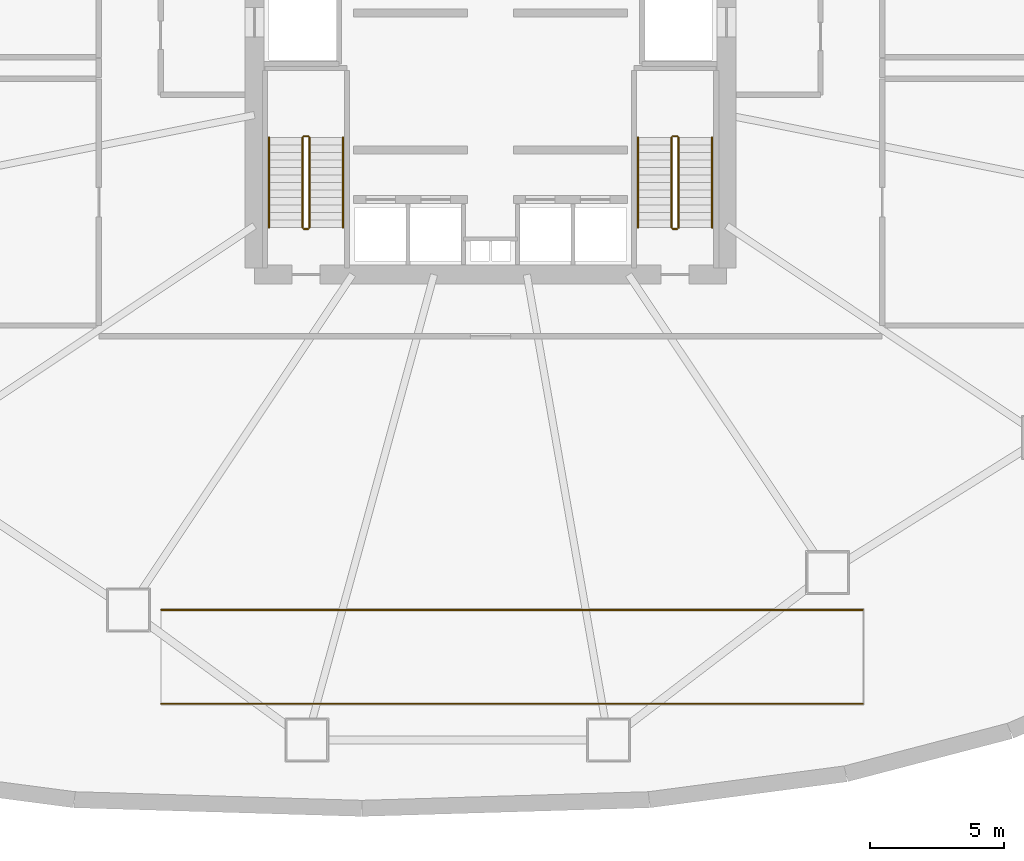
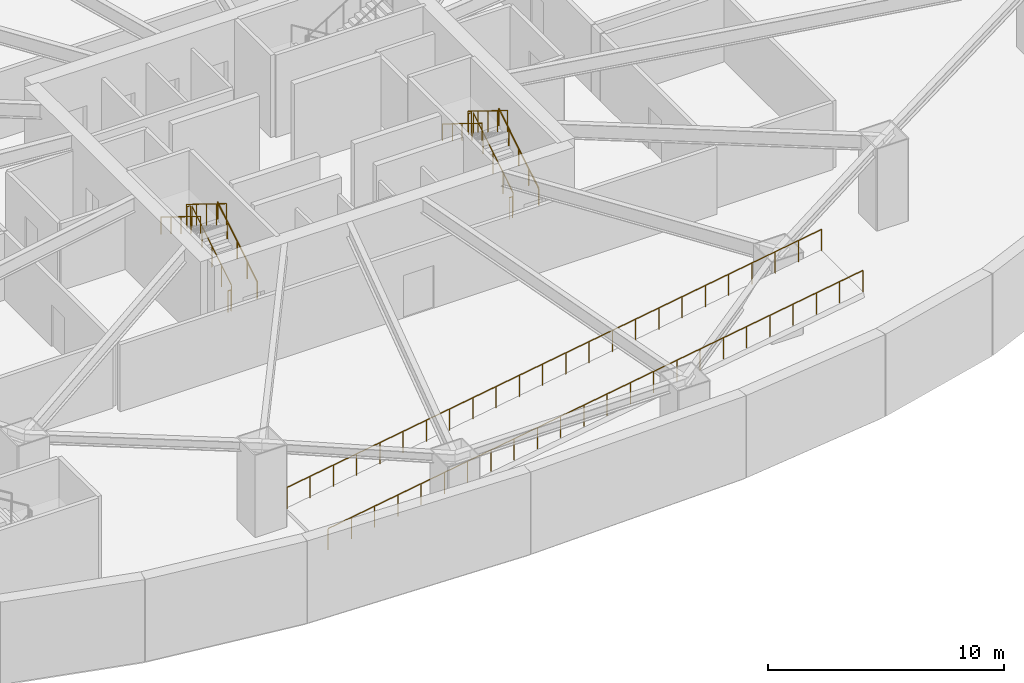
# One storey, part 7 of 10: 14 railings.
"""IFC4 building model written with IfcOpenShell, lengths in metres."""

import ifcopenshell
import ifcopenshell.guid

model = None  # the IFC model being written
_history = None  # IfcOwnerHistory: only IFC2X3 demands one
_inside = {}  # id of a spatial element -> (the spatial element, [elements in it])
_under = {}  # id of a project, library or spatial element -> (it, [spatial elements below it])
_declared = {}  # id of a project -> (the project, [libraries it declares])
_typed = {}  # id of a type object -> (the type object, [elements of that type])
_made_of = {}  # id of a material, layer set ... -> (it, [elements and type objects made of it])


def new_model(schema):
    """Start an empty IFC model of exactly this schema.

    Asked for "IFC4X3", IfcOpenShell would pick the latest addendum, in which some entities
    have other attributes; the version numbers below select the first issue.
    IFC2X3 requires an IfcOwnerHistory on every rooted entity: one is made here for all.
    """
    global model, _history
    if schema == "IFC4X3":
        model = ifcopenshell.file(schema_version=(4, 3, 0, 0))
    else:
        model = ifcopenshell.file(schema=schema)
    _inside.clear()
    _under.clear()
    _declared.clear()
    _typed.clear()
    _made_of.clear()
    _history = None
    if model.schema == "IFC2X3":
        org = make("IfcOrganization", Name="unknown")
        user = make(
            "IfcPersonAndOrganization",
            ThePerson=make("IfcPerson", FamilyName="unknown"),
            TheOrganization=org,
        )
        app = make(
            "IfcApplication",
            ApplicationDeveloper=org,
            Version="unknown",
            ApplicationFullName="unknown",
            ApplicationIdentifier="unknown",
        )
        _history = make(
            "IfcOwnerHistory",
            OwningUser=user,
            OwningApplication=app,
            ChangeAction="ADDED",
            CreationDate=0,
        )
    return model


def make(cls, **values):
    """One entity of the class cls with the attributes given. An attribute that is None is left unset."""
    return model.create_entity(
        cls, **{name: value for name, value in values.items() if value is not None}
    )


def rooted(cls, **values):
    """An entity with a GlobalId (a new one), such as an element, a storey or a relation."""
    return make(cls, GlobalId=ifcopenshell.guid.new(), OwnerHistory=_history, **values)


def si_unit(unit_type, name, prefix=None):
    """IfcSIUnit, for example si_unit("LENGTHUNIT", "METRE", prefix="MILLI")."""
    return make("IfcSIUnit", UnitType=unit_type, Prefix=prefix, Name=name)


def assignment(units):
    """IfcUnitAssignment: the units of a project."""
    return None if units is None else make("IfcUnitAssignment", Units=units)


def point(xyz):
    """IfcCartesianPoint."""
    return None if xyz is None else make("IfcCartesianPoint", Coordinates=xyz)


def direction(xyz):
    """IfcDirection."""
    return None if xyz is None else make("IfcDirection", DirectionRatios=xyz)


def frame(location, z_axis=None, x_axis=None):
    """IfcAxis2Placement3D, a coordinate frame: its origin and axes. An axis left out is left unset."""
    return make(
        "IfcAxis2Placement3D",
        Location=point(location),
        Axis=direction(z_axis),
        RefDirection=direction(x_axis),
    )


def frame_2d(location, x_axis=None):
    """IfcAxis2Placement2D, a coordinate frame in the plane: its origin and x axis."""
    return make(
        "IfcAxis2Placement2D", Location=point(location), RefDirection=direction(x_axis)
    )


def origin():
    """The frame at (0, 0, 0) with its axes left unset."""
    return frame((0.0, 0.0, 0.0))


def origin_2d():
    """The frame at (0, 0) in the plane with its x axis left unset."""
    return frame_2d((0.0, 0.0))


def place(relative_to, where):
    """IfcLocalPlacement: puts the frame where relative to a parent placement (None: the world)."""
    return make(
        "IfcLocalPlacement", PlacementRelTo=relative_to, RelativePlacement=where
    )


def context(
    kind, dimensions, precision=None, world=None, true_north=None, identifier=None
):
    """IfcGeometricRepresentationContext, for example the 3D "Model" context."""
    return make(
        "IfcGeometricRepresentationContext",
        ContextIdentifier=identifier,
        ContextType=kind,
        CoordinateSpaceDimension=dimensions,
        Precision=precision,
        WorldCoordinateSystem=world,
        TrueNorth=true_north,
    )


def subcontext(parent, identifier, kind, view, scale=None):
    """IfcGeometricRepresentationSubContext, for example "Body" below "Model"."""
    return make(
        "IfcGeometricRepresentationSubContext",
        ContextIdentifier=identifier,
        ContextType=kind,
        ParentContext=parent,
        TargetScale=scale,
        TargetView=view,
    )


def project(units=None, contexts=None):
    """IfcProject with its units and contexts."""
    return rooted(
        "IfcProject",
        Name="project",
        RepresentationContexts=contexts,
        UnitsInContext=assignment(units),
    )


def spatial(cls, under=None, at=None, **own):
    """A site, building, storey or space (cls), placed at a placement, below another one or the project."""
    s = rooted(cls, ObjectPlacement=at, **own)
    if under is not None:
        _under.setdefault(under.id(), (under, []))[1].append(s)
    return s


def profile(cls, at=None, kind="AREA", **sizes):
    """A parametric profile (cls). Its sizes go by their IFC names, for example OverallWidth=200.0."""
    return make(cls, ProfileType=kind, Position=at, **sizes)


def circle(**sizes):
    """IfcCircleProfileDef."""
    return profile("IfcCircleProfileDef", **sizes)


def extrude(swept, where, along, depth):
    """IfcExtrudedAreaSolid: the profile swept, set in the frame where, extruded along a direction by depth."""
    return make(
        "IfcExtrudedAreaSolid",
        SweptArea=swept,
        Position=where,
        ExtrudedDirection=direction(along),
        Depth=depth,
    )


def shape(context_of_items, identifier, shape_type, items):
    """IfcShapeRepresentation: the items that make up one representation, for example the "Body"."""
    return make(
        "IfcShapeRepresentation",
        ContextOfItems=context_of_items,
        RepresentationIdentifier=identifier,
        RepresentationType=shape_type,
        Items=items,
    )


def material(Name=None, Category=None):
    """IfcMaterial."""
    return make("IfcMaterial", Name=Name, Category=Category)


def made_of(thing, what):
    """Note that an element or type object is made of a material, layer set ...; save() writes the relation."""
    if what is not None:
        _made_of.setdefault(what.id(), (what, []))[1].append(thing)
    return thing


def type_object(cls, material=None, **own):
    """A type object (cls), such as IfcWallType, which elements share."""
    return made_of(rooted(cls, **own), material)


def element(
    cls,
    number,
    at=None,
    inside=None,
    cuts=None,
    type_object=None,
    material=None,
    context=None,
    identifier="Body",
    shape_type=None,
    held_by="IfcProductDefinitionShape",
    body=None,
    shapes=None,
    **own,
):
    """One element of the class cls, such as IfcWall. Its Tag is "e" and its number.

    at: its placement. inside: the storey or other place that contains it. cuts: it is an
    opening in that element (IfcRelVoidsElement). A single representation is given by context,
    identifier, shape_type and body (its items); several are given by shapes. held_by: the class
    of the entity that holds the representations. save() writes the other relations.
    """
    e = rooted(cls, Tag="e%d" % number, ObjectPlacement=at, **own)
    if body is not None:
        shapes = [shape(context, identifier, shape_type, body)]
    if shapes is not None:
        e.Representation = make(held_by, Representations=shapes)
    if inside is not None:
        _inside.setdefault(inside.id(), (inside, []))[1].append(e)
    if cuts is not None:
        rooted(
            "IfcRelVoidsElement", RelatingBuildingElement=cuts, RelatedOpeningElement=e
        )
    if type_object is not None:
        _typed.setdefault(type_object.id(), (type_object, []))[1].append(e)
    return made_of(e, material)


def aggregate(whole, parts):
    """IfcRelAggregates: a whole, such as a stair, and the parts it consists of."""
    return rooted("IfcRelAggregates", RelatingObject=whole, RelatedObjects=parts)


def save(model, path):
    """Write the relations noted so far, then the file.

    IfcRelAggregates (storeys below a building ...), IfcRelContainedInSpatialStructure (elements
    in a storey), IfcRelDefinesByType, IfcRelAssociatesMaterial and IfcRelDeclares: one each for
    every whole, place, type object, material and project.
    """
    for whole, parts in _under.values():
        aggregate(whole, parts)
    for where, things in _inside.values():
        rooted(
            "IfcRelContainedInSpatialStructure",
            RelatedElements=things,
            RelatingStructure=where,
        )
    for kind, things in _typed.values():
        rooted("IfcRelDefinesByType", RelatedObjects=things, RelatingType=kind)
    for what, things in _made_of.values():
        rooted("IfcRelAssociatesMaterial", RelatedObjects=things, RelatingMaterial=what)
    for by, libraries in _declared.values():
        rooted("IfcRelDeclares", RelatingContext=by, RelatedDefinitions=libraries)
    model.write(path)


model = new_model("IFC4")

# Units and contexts
model_context = context("Model", 3, precision=1e-05, world=origin(), true_north=direction((0.0, 1.0)))
body_context = subcontext(model_context, "Body", "Model", "MODEL_VIEW")
ifc_project = project(units=[si_unit("LENGTHUNIT", "METRE"), si_unit("AREAUNIT", "SQUARE_METRE"), si_unit("VOLUMEUNIT", "CUBIC_METRE"), si_unit("PLANEANGLEUNIT", "RADIAN"), si_unit("MASSUNIT", "GRAM", prefix="KILO"), si_unit("THERMODYNAMICTEMPERATUREUNIT", "KELVIN")], contexts=[model_context])

# Site, building, storey
site_placement = place(None, origin())
site = spatial("IfcSite", under=ifc_project, at=site_placement, CompositionType="ELEMENT")
building_placement = place(site_placement, origin())
building = spatial("IfcBuilding", under=site, at=building_placement, Name="Kethvar Cultural Tower", CompositionType="ELEMENT")
storey_placement = place(building_placement, frame((0.0, 0.0, -4.5)))
storey = spatial("IfcBuildingStorey", under=building, at=storey_placement, Name="B01", CompositionType="ELEMENT", Elevation=-4.5)

# Railings
ifc_material = material(Name="Steel S355J2", Category="steel")
railing_type_1 = type_object("IfcRailingType", Name="RL-STAIR-GUARD", PredefinedType="BALUSTRADE", material=ifc_material)
railing_1_placement = place(storey_placement, frame((40.050048828125, 21.85009765625, 0.173095703125)))
element("IfcRailing", 1, at=railing_1_placement, inside=storey, type_object=railing_type_1, Name="B01 ST-01 stair guard 1", PredefinedType="BALUSTRADE", context=body_context, shape_type="SweptSolid", body=[
    extrude(circle(Radius=0.02392578125, at=origin_2d()), frame((0.0, 0.0, 1.09619140625), z_axis=(0.0, 0.850606129759, 0.525803396734), x_axis=(-1.0, 0.0, 0.0)), (0.0, 0.0, 1.0), 3.949951171875),
    extrude(circle(Radius=0.02099609375, at=origin_2d()), origin(), (0.0, 0.0, 1.0), 1.072021484375),
    extrude(circle(Radius=0.02099609375, at=origin_2d()), frame((0.0, 0.83984375, 0.519287109375)), (0.0, 0.0, 1.0), 1.072021484375),
    extrude(circle(Radius=0.02099609375, at=origin_2d()), frame((0.0, 1.679931640625, 1.03857421875)), (0.0, 0.0, 1.0), 1.072021484375),
    extrude(circle(Radius=0.02099609375, at=origin_2d()), frame((0.0, 2.52001953125, 1.5576171875)), (0.0, 0.0, 1.0), 1.072021484375),
    extrude(circle(Radius=0.02099609375, at=origin_2d()), frame((0.0, 3.35986328125, 2.076904296875)), (0.0, 0.0, 1.0), 1.072021484375),
])
railing_2_placement = place(storey_placement, frame((40.0, 25.260009765625, 2.25)))
element("IfcRailing", 2, at=railing_2_placement, inside=storey, type_object=railing_type_1, Name="B01 ST-01 stair guard 2", PredefinedType="BALUSTRADE", context=body_context, shape_type="SweptSolid", body=[
    extrude(circle(Radius=0.02392578125, at=origin_2d()), frame((0.0, 0.0, 1.09619140625), z_axis=(-1.0, 0.0, 0.0), x_axis=(0.0, -1.0, 0.0)), (0.0, 0.0, 1.0), 0.159912109375),
    extrude(circle(Radius=0.02099609375, at=origin_2d()), origin(), (0.0, 0.0, 1.0), 1.072021484375),
    extrude(circle(Radius=0.02099609375, at=origin_2d()), frame((-0.159912109375, 0.0, 0.0)), (0.0, 0.0, 1.0), 1.072021484375),
])
railing_3_placement = place(storey_placement, frame((39.7900390625, 25.2099609375, 2.423095703125)))
element("IfcRailing", 3, at=railing_3_placement, inside=storey, type_object=railing_type_1, Name="B01 ST-01 stair guard 3", PredefinedType="BALUSTRADE", context=body_context, shape_type="SweptSolid", body=[
    extrude(circle(Radius=0.02392578125, at=origin_2d()), frame((0.0, 0.0, 1.09619140625), z_axis=(0.0, -0.850606129759, 0.525803396734), x_axis=(1.0, 0.0, 0.0)), (0.0, 0.0, 1.0), 3.949951171875),
    extrude(circle(Radius=0.02099609375, at=origin_2d()), origin(), (0.0, 0.0, 1.0), 1.072021484375),
    extrude(circle(Radius=0.02099609375, at=origin_2d()), frame((0.0, -0.83984375, 0.519287109375)), (0.0, 0.0, 1.0), 1.072021484375),
    extrude(circle(Radius=0.02099609375, at=origin_2d()), frame((0.0, -1.679931640625, 1.03857421875)), (0.0, 0.0, 1.0), 1.072021484375),
    extrude(circle(Radius=0.02099609375, at=origin_2d()), frame((0.0, -2.52001953125, 1.5576171875)), (0.0, 0.0, 1.0), 1.072021484375),
    extrude(circle(Radius=0.02099609375, at=origin_2d()), frame((0.0, -3.35986328125, 2.076904296875)), (0.0, 0.0, 1.0), 1.072021484375),
])
railing_4_placement = place(storey_placement, frame((40.0, 21.800048828125, 0.0)))
element("IfcRailing", 4, at=railing_4_placement, inside=storey, type_object=railing_type_1, Name="B01 ST-01 stair guard 4", PredefinedType="BALUSTRADE", context=body_context, shape_type="SweptSolid", body=[
    extrude(circle(Radius=0.02392578125, at=origin_2d()), frame((0.0, 0.0, 1.09619140625), z_axis=(-1.0, 0.0, 0.0), x_axis=(0.0, -1.0, 0.0)), (0.0, 0.0, 1.0), 0.159912109375),
    extrude(circle(Radius=0.02099609375, at=origin_2d()), origin(), (0.0, 0.0, 1.0), 1.072021484375),
    extrude(circle(Radius=0.02099609375, at=origin_2d()), frame((-0.159912109375, 0.0, 0.0)), (0.0, 0.0, 1.0), 1.072021484375),
])
railing_5_placement = place(storey_placement, frame((53.81005859375, 21.85009765625, 0.173095703125)))
element("IfcRailing", 5, at=railing_5_placement, inside=storey, type_object=railing_type_1, Name="B01 ST-02 stair guard 1", PredefinedType="BALUSTRADE", context=body_context, shape_type="SweptSolid", body=[
    extrude(circle(Radius=0.02392578125, at=origin_2d()), frame((0.0, 0.0, 1.09619140625), z_axis=(0.0, 0.850606129759, 0.525803396734), x_axis=(-1.0, 0.0, 0.0)), (0.0, 0.0, 1.0), 3.949951171875),
    extrude(circle(Radius=0.02099609375, at=origin_2d()), origin(), (0.0, 0.0, 1.0), 1.072021484375),
    extrude(circle(Radius=0.02099609375, at=origin_2d()), frame((0.0, 0.83984375, 0.519287109375)), (0.0, 0.0, 1.0), 1.072021484375),
    extrude(circle(Radius=0.02099609375, at=origin_2d()), frame((0.0, 1.679931640625, 1.03857421875)), (0.0, 0.0, 1.0), 1.072021484375),
    extrude(circle(Radius=0.02099609375, at=origin_2d()), frame((0.0, 2.52001953125, 1.5576171875)), (0.0, 0.0, 1.0), 1.072021484375),
    extrude(circle(Radius=0.02099609375, at=origin_2d()), frame((0.0, 3.35986328125, 2.076904296875)), (0.0, 0.0, 1.0), 1.072021484375),
])
railing_6_placement = place(storey_placement, frame((53.760009765625, 25.260009765625, 2.25)))
element("IfcRailing", 6, at=railing_6_placement, inside=storey, type_object=railing_type_1, Name="B01 ST-02 stair guard 2", PredefinedType="BALUSTRADE", context=body_context, shape_type="SweptSolid", body=[
    extrude(circle(Radius=0.02392578125, at=origin_2d()), frame((0.0, 0.0, 1.09619140625), z_axis=(-1.0, 0.0, 0.0), x_axis=(0.0, -1.0, 0.0)), (0.0, 0.0, 1.0), 0.159912109375),
    extrude(circle(Radius=0.02099609375, at=origin_2d()), origin(), (0.0, 0.0, 1.0), 1.072021484375),
    extrude(circle(Radius=0.02099609375, at=origin_2d()), frame((-0.159912109375, 0.0, 0.0)), (0.0, 0.0, 1.0), 1.072021484375),
])
railing_7_placement = place(storey_placement, frame((53.550048828125, 25.2099609375, 2.423095703125)))
element("IfcRailing", 7, at=railing_7_placement, inside=storey, type_object=railing_type_1, Name="B01 ST-02 stair guard 3", PredefinedType="BALUSTRADE", context=body_context, shape_type="SweptSolid", body=[
    extrude(circle(Radius=0.02392578125, at=origin_2d()), frame((0.0, 0.0, 1.09619140625), z_axis=(0.0, -0.850606129759, 0.525803396734), x_axis=(1.0, 0.0, 0.0)), (0.0, 0.0, 1.0), 3.949951171875),
    extrude(circle(Radius=0.02099609375, at=origin_2d()), origin(), (0.0, 0.0, 1.0), 1.072021484375),
    extrude(circle(Radius=0.02099609375, at=origin_2d()), frame((0.0, -0.83984375, 0.519287109375)), (0.0, 0.0, 1.0), 1.072021484375),
    extrude(circle(Radius=0.02099609375, at=origin_2d()), frame((0.0, -1.679931640625, 1.03857421875)), (0.0, 0.0, 1.0), 1.072021484375),
    extrude(circle(Radius=0.02099609375, at=origin_2d()), frame((0.0, -2.52001953125, 1.5576171875)), (0.0, 0.0, 1.0), 1.072021484375),
    extrude(circle(Radius=0.02099609375, at=origin_2d()), frame((0.0, -3.35986328125, 2.076904296875)), (0.0, 0.0, 1.0), 1.072021484375),
])
railing_8_placement = place(storey_placement, frame((53.760009765625, 21.800048828125, 0.0)))
element("IfcRailing", 8, at=railing_8_placement, inside=storey, type_object=railing_type_1, Name="B01 ST-02 stair guard 4", PredefinedType="BALUSTRADE", context=body_context, shape_type="SweptSolid", body=[
    extrude(circle(Radius=0.02392578125, at=origin_2d()), frame((0.0, 0.0, 1.09619140625), z_axis=(-1.0, 0.0, 0.0), x_axis=(0.0, -1.0, 0.0)), (0.0, 0.0, 1.0), 0.159912109375),
    extrude(circle(Radius=0.02099609375, at=origin_2d()), origin(), (0.0, 0.0, 1.0), 1.072021484375),
    extrude(circle(Radius=0.02099609375, at=origin_2d()), frame((-0.159912109375, 0.0, 0.0)), (0.0, 0.0, 1.0), 1.072021484375),
])
railing_9_placement = place(storey_placement, frame((34.52001953125, 4.10009765625, 0.304931640625)))
element("IfcRailing", 9, at=railing_9_placement, inside=storey, type_object=railing_type_1, Name="Basement B01 to Street Vehicle Ramp Slab Guard S", PredefinedType="BALUSTRADE", context=body_context, shape_type="SweptSolid", body=[
    extrude(circle(Radius=0.02392578125, at=origin_2d()), frame((0.0, 0.0, 1.09619140625), z_axis=(0.987384734628, 0.0, 0.158339463888), x_axis=(0.0, 1.0, 0.0)), (0.0, 0.0, 1.0), 26.494140625),
    extrude(circle(Radius=0.02099609375, at=origin_2d()), origin(), (0.0, 0.0, 1.0), 1.072021484375),
    extrude(circle(Radius=0.02099609375, at=origin_2d()), frame((1.137451171875, 0.0, 0.182373046875)), (0.0, 0.0, 1.0), 1.072021484375),
    extrude(circle(Radius=0.02099609375, at=origin_2d()), frame((2.274658203125, 0.0, 0.36474609375)), (0.0, 0.0, 1.0), 1.072021484375),
    extrude(circle(Radius=0.02099609375, at=origin_2d()), frame((3.412109375, 0.0, 0.547119140625)), (0.0, 0.0, 1.0), 1.072021484375),
    extrude(circle(Radius=0.02099609375, at=origin_2d()), frame((4.549560546875, 0.0, 0.7294921875)), (0.0, 0.0, 1.0), 1.072021484375),
    extrude(circle(Radius=0.02099609375, at=origin_2d()), frame((5.68701171875, 0.0, 0.911865234375)), (0.0, 0.0, 1.0), 1.072021484375),
    extrude(circle(Radius=0.02099609375, at=origin_2d()), frame((6.82421875, 0.0, 1.094482421875)), (0.0, 0.0, 1.0), 1.072021484375),
    extrude(circle(Radius=0.02099609375, at=origin_2d()), frame((7.961669921875, 0.0, 1.27685546875)), (0.0, 0.0, 1.0), 1.072021484375),
    extrude(circle(Radius=0.02099609375, at=origin_2d()), frame((9.09912109375, 0.0, 1.459228515625)), (0.0, 0.0, 1.0), 1.072021484375),
    extrude(circle(Radius=0.02099609375, at=origin_2d()), frame((10.236572265625, 0.0, 1.6416015625)), (0.0, 0.0, 1.0), 1.072021484375),
    extrude(circle(Radius=0.02099609375, at=origin_2d()), frame((11.373779296875, 0.0, 1.823974609375)), (0.0, 0.0, 1.0), 1.072021484375),
    extrude(circle(Radius=0.02099609375, at=origin_2d()), frame((12.51123046875, 0.0, 2.00634765625)), (0.0, 0.0, 1.0), 1.072021484375),
    extrude(circle(Radius=0.02099609375, at=origin_2d()), frame((13.648681640625, 0.0, 2.188720703125)), (0.0, 0.0, 1.0), 1.072021484375),
    extrude(circle(Radius=0.02099609375, at=origin_2d()), frame((14.7861328125, 0.0, 2.37109375)), (0.0, 0.0, 1.0), 1.072021484375),
    extrude(circle(Radius=0.02099609375, at=origin_2d()), frame((15.92333984375, 0.0, 2.553466796875)), (0.0, 0.0, 1.0), 1.072021484375),
    extrude(circle(Radius=0.02099609375, at=origin_2d()), frame((17.060791015625, 0.0, 2.73583984375)), (0.0, 0.0, 1.0), 1.072021484375),
    extrude(circle(Radius=0.02099609375, at=origin_2d()), frame((18.1982421875, 0.0, 2.918212890625)), (0.0, 0.0, 1.0), 1.072021484375),
    extrude(circle(Radius=0.02099609375, at=origin_2d()), frame((19.335693359375, 0.0, 3.1005859375)), (0.0, 0.0, 1.0), 1.072021484375),
    extrude(circle(Radius=0.02099609375, at=origin_2d()), frame((20.472900390625, 0.0, 3.283203125)), (0.0, 0.0, 1.0), 1.072021484375),
    extrude(circle(Radius=0.02099609375, at=origin_2d()), frame((21.6103515625, 0.0, 3.465576171875)), (0.0, 0.0, 1.0), 1.072021484375),
    extrude(circle(Radius=0.02099609375, at=origin_2d()), frame((22.747802734375, 0.0, 3.64794921875)), (0.0, 0.0, 1.0), 1.072021484375),
    extrude(circle(Radius=0.02099609375, at=origin_2d()), frame((23.88525390625, 0.0, 3.830322265625)), (0.0, 0.0, 1.0), 1.072021484375),
    extrude(circle(Radius=0.02099609375, at=origin_2d()), frame((25.0224609375, 0.0, 4.0126953125)), (0.0, 0.0, 1.0), 1.072021484375),
    extrude(circle(Radius=0.02099609375, at=origin_2d()), frame((26.159912109375, 0.0, 4.195068359375)), (0.0, 0.0, 1.0), 1.072021484375),
])
railing_10_placement = place(storey_placement, frame((34.52001953125, 7.60009765625, 0.304931640625)))
element("IfcRailing", 10, at=railing_10_placement, inside=storey, type_object=railing_type_1, Name="Basement B01 to Street Vehicle Ramp Slab Guard N", PredefinedType="BALUSTRADE", context=body_context, shape_type="SweptSolid", body=[
    extrude(circle(Radius=0.02392578125, at=origin_2d()), frame((0.0, 0.0, 1.09619140625), z_axis=(0.987384734628, 0.0, 0.158339463888), x_axis=(0.0, 1.0, 0.0)), (0.0, 0.0, 1.0), 26.494140625),
    extrude(circle(Radius=0.02099609375, at=origin_2d()), origin(), (0.0, 0.0, 1.0), 1.072021484375),
    extrude(circle(Radius=0.02099609375, at=origin_2d()), frame((1.137451171875, 0.0, 0.182373046875)), (0.0, 0.0, 1.0), 1.072021484375),
    extrude(circle(Radius=0.02099609375, at=origin_2d()), frame((2.274658203125, 0.0, 0.36474609375)), (0.0, 0.0, 1.0), 1.072021484375),
    extrude(circle(Radius=0.02099609375, at=origin_2d()), frame((3.412109375, 0.0, 0.547119140625)), (0.0, 0.0, 1.0), 1.072021484375),
    extrude(circle(Radius=0.02099609375, at=origin_2d()), frame((4.549560546875, 0.0, 0.7294921875)), (0.0, 0.0, 1.0), 1.072021484375),
    extrude(circle(Radius=0.02099609375, at=origin_2d()), frame((5.68701171875, 0.0, 0.911865234375)), (0.0, 0.0, 1.0), 1.072021484375),
    extrude(circle(Radius=0.02099609375, at=origin_2d()), frame((6.82421875, 0.0, 1.094482421875)), (0.0, 0.0, 1.0), 1.072021484375),
    extrude(circle(Radius=0.02099609375, at=origin_2d()), frame((7.961669921875, 0.0, 1.27685546875)), (0.0, 0.0, 1.0), 1.072021484375),
    extrude(circle(Radius=0.02099609375, at=origin_2d()), frame((9.09912109375, 0.0, 1.459228515625)), (0.0, 0.0, 1.0), 1.072021484375),
    extrude(circle(Radius=0.02099609375, at=origin_2d()), frame((10.236572265625, 0.0, 1.6416015625)), (0.0, 0.0, 1.0), 1.072021484375),
    extrude(circle(Radius=0.02099609375, at=origin_2d()), frame((11.373779296875, 0.0, 1.823974609375)), (0.0, 0.0, 1.0), 1.072021484375),
    extrude(circle(Radius=0.02099609375, at=origin_2d()), frame((12.51123046875, 0.0, 2.00634765625)), (0.0, 0.0, 1.0), 1.072021484375),
    extrude(circle(Radius=0.02099609375, at=origin_2d()), frame((13.648681640625, 0.0, 2.188720703125)), (0.0, 0.0, 1.0), 1.072021484375),
    extrude(circle(Radius=0.02099609375, at=origin_2d()), frame((14.7861328125, 0.0, 2.37109375)), (0.0, 0.0, 1.0), 1.072021484375),
    extrude(circle(Radius=0.02099609375, at=origin_2d()), frame((15.92333984375, 0.0, 2.553466796875)), (0.0, 0.0, 1.0), 1.072021484375),
    extrude(circle(Radius=0.02099609375, at=origin_2d()), frame((17.060791015625, 0.0, 2.73583984375)), (0.0, 0.0, 1.0), 1.072021484375),
    extrude(circle(Radius=0.02099609375, at=origin_2d()), frame((18.1982421875, 0.0, 2.918212890625)), (0.0, 0.0, 1.0), 1.072021484375),
    extrude(circle(Radius=0.02099609375, at=origin_2d()), frame((19.335693359375, 0.0, 3.1005859375)), (0.0, 0.0, 1.0), 1.072021484375),
    extrude(circle(Radius=0.02099609375, at=origin_2d()), frame((20.472900390625, 0.0, 3.283203125)), (0.0, 0.0, 1.0), 1.072021484375),
    extrude(circle(Radius=0.02099609375, at=origin_2d()), frame((21.6103515625, 0.0, 3.465576171875)), (0.0, 0.0, 1.0), 1.072021484375),
    extrude(circle(Radius=0.02099609375, at=origin_2d()), frame((22.747802734375, 0.0, 3.64794921875)), (0.0, 0.0, 1.0), 1.072021484375),
    extrude(circle(Radius=0.02099609375, at=origin_2d()), frame((23.88525390625, 0.0, 3.830322265625)), (0.0, 0.0, 1.0), 1.072021484375),
    extrude(circle(Radius=0.02099609375, at=origin_2d()), frame((25.0224609375, 0.0, 4.0126953125)), (0.0, 0.0, 1.0), 1.072021484375),
    extrude(circle(Radius=0.02099609375, at=origin_2d()), frame((26.159912109375, 0.0, 4.195068359375)), (0.0, 0.0, 1.0), 1.072021484375),
])
railing_type_2 = type_object("IfcRailingType", Name="RL-STAIR-HANDRAIL", PredefinedType="HANDRAIL", material=ifc_material)
railing_11_placement = place(storey_placement, frame((41.300048828125, 21.85009765625, 0.173095703125)))
element("IfcRailing", 11, at=railing_11_placement, inside=storey, type_object=railing_type_2, Name="B01 ST-01 stair handrail 1", PredefinedType="HANDRAIL", context=body_context, shape_type="SweptSolid", body=[
    extrude(circle(Radius=0.02392578125, at=origin_2d()), frame((0.0, 0.0, 0.8759765625), z_axis=(0.0, 0.850606129759, 0.525803396734), x_axis=(-1.0, 0.0, 0.0)), (0.0, 0.0, 1.0), 3.949951171875),
    extrude(circle(Radius=0.02099609375, at=origin_2d()), origin(), (0.0, 0.0, 1.0), 0.851806640625),
    extrude(circle(Radius=0.02099609375, at=origin_2d()), frame((0.0, 0.83984375, 0.519287109375)), (0.0, 0.0, 1.0), 0.851806640625),
    extrude(circle(Radius=0.02099609375, at=origin_2d()), frame((0.0, 1.679931640625, 1.03857421875)), (0.0, 0.0, 1.0), 0.851806640625),
    extrude(circle(Radius=0.02099609375, at=origin_2d()), frame((0.0, 2.52001953125, 1.5576171875)), (0.0, 0.0, 1.0), 0.851806640625),
    extrude(circle(Radius=0.02099609375, at=origin_2d()), frame((0.0, 3.35986328125, 2.076904296875)), (0.0, 0.0, 1.0), 0.851806640625),
])
railing_12_placement = place(storey_placement, frame((38.5400390625, 25.2099609375, 2.423095703125)))
element("IfcRailing", 12, at=railing_12_placement, inside=storey, type_object=railing_type_2, Name="B01 ST-01 stair handrail 2", PredefinedType="HANDRAIL", context=body_context, shape_type="SweptSolid", body=[
    extrude(circle(Radius=0.02392578125, at=origin_2d()), frame((0.0, 0.0, 0.8759765625), z_axis=(0.0, -0.850606129759, 0.525803396734), x_axis=(1.0, 0.0, 0.0)), (0.0, 0.0, 1.0), 3.949951171875),
    extrude(circle(Radius=0.02099609375, at=origin_2d()), origin(), (0.0, 0.0, 1.0), 0.851806640625),
    extrude(circle(Radius=0.02099609375, at=origin_2d()), frame((0.0, -0.83984375, 0.519287109375)), (0.0, 0.0, 1.0), 0.851806640625),
    extrude(circle(Radius=0.02099609375, at=origin_2d()), frame((0.0, -1.679931640625, 1.03857421875)), (0.0, 0.0, 1.0), 0.851806640625),
    extrude(circle(Radius=0.02099609375, at=origin_2d()), frame((0.0, -2.52001953125, 1.5576171875)), (0.0, 0.0, 1.0), 0.851806640625),
    extrude(circle(Radius=0.02099609375, at=origin_2d()), frame((0.0, -3.35986328125, 2.076904296875)), (0.0, 0.0, 1.0), 0.851806640625),
])
railing_13_placement = place(storey_placement, frame((55.06005859375, 21.85009765625, 0.173095703125)))
element("IfcRailing", 13, at=railing_13_placement, inside=storey, type_object=railing_type_2, Name="B01 ST-02 stair handrail 1", PredefinedType="HANDRAIL", context=body_context, shape_type="SweptSolid", body=[
    extrude(circle(Radius=0.02392578125, at=origin_2d()), frame((0.0, 0.0, 0.8759765625), z_axis=(0.0, 0.850606129759, 0.525803396734), x_axis=(-1.0, 0.0, 0.0)), (0.0, 0.0, 1.0), 3.949951171875),
    extrude(circle(Radius=0.02099609375, at=origin_2d()), origin(), (0.0, 0.0, 1.0), 0.851806640625),
    extrude(circle(Radius=0.02099609375, at=origin_2d()), frame((0.0, 0.83984375, 0.519287109375)), (0.0, 0.0, 1.0), 0.851806640625),
    extrude(circle(Radius=0.02099609375, at=origin_2d()), frame((0.0, 1.679931640625, 1.03857421875)), (0.0, 0.0, 1.0), 0.851806640625),
    extrude(circle(Radius=0.02099609375, at=origin_2d()), frame((0.0, 2.52001953125, 1.5576171875)), (0.0, 0.0, 1.0), 0.851806640625),
    extrude(circle(Radius=0.02099609375, at=origin_2d()), frame((0.0, 3.35986328125, 2.076904296875)), (0.0, 0.0, 1.0), 0.851806640625),
])
railing_14_placement = place(storey_placement, frame((52.300048828125, 25.2099609375, 2.423095703125)))
element("IfcRailing", 14, at=railing_14_placement, inside=storey, type_object=railing_type_2, Name="B01 ST-02 stair handrail 2", PredefinedType="HANDRAIL", context=body_context, shape_type="SweptSolid", body=[
    extrude(circle(Radius=0.02392578125, at=origin_2d()), frame((0.0, 0.0, 0.8759765625), z_axis=(0.0, -0.850606129759, 0.525803396734), x_axis=(1.0, 0.0, 0.0)), (0.0, 0.0, 1.0), 3.949951171875),
    extrude(circle(Radius=0.02099609375, at=origin_2d()), origin(), (0.0, 0.0, 1.0), 0.851806640625),
    extrude(circle(Radius=0.02099609375, at=origin_2d()), frame((0.0, -0.83984375, 0.519287109375)), (0.0, 0.0, 1.0), 0.851806640625),
    extrude(circle(Radius=0.02099609375, at=origin_2d()), frame((0.0, -1.679931640625, 1.03857421875)), (0.0, 0.0, 1.0), 0.851806640625),
    extrude(circle(Radius=0.02099609375, at=origin_2d()), frame((0.0, -2.52001953125, 1.5576171875)), (0.0, 0.0, 1.0), 0.851806640625),
    extrude(circle(Radius=0.02099609375, at=origin_2d()), frame((0.0, -3.35986328125, 2.076904296875)), (0.0, 0.0, 1.0), 0.851806640625),
])

save(model, "model.ifc")
